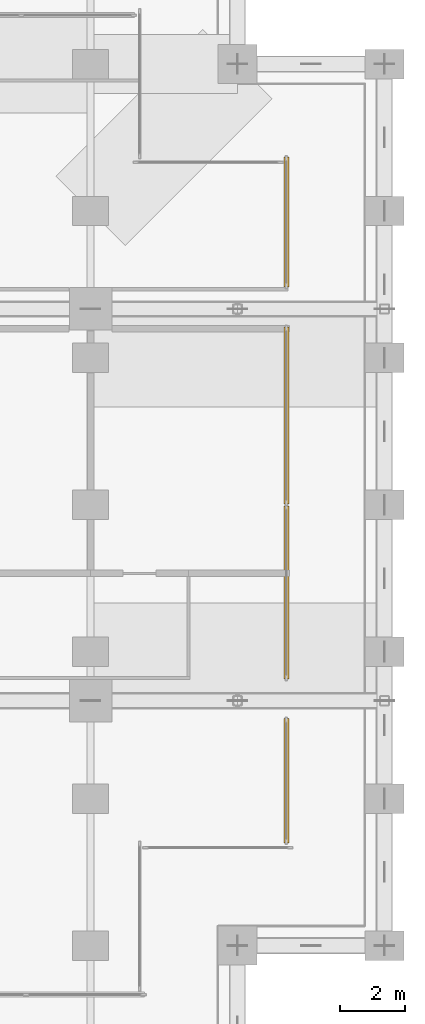
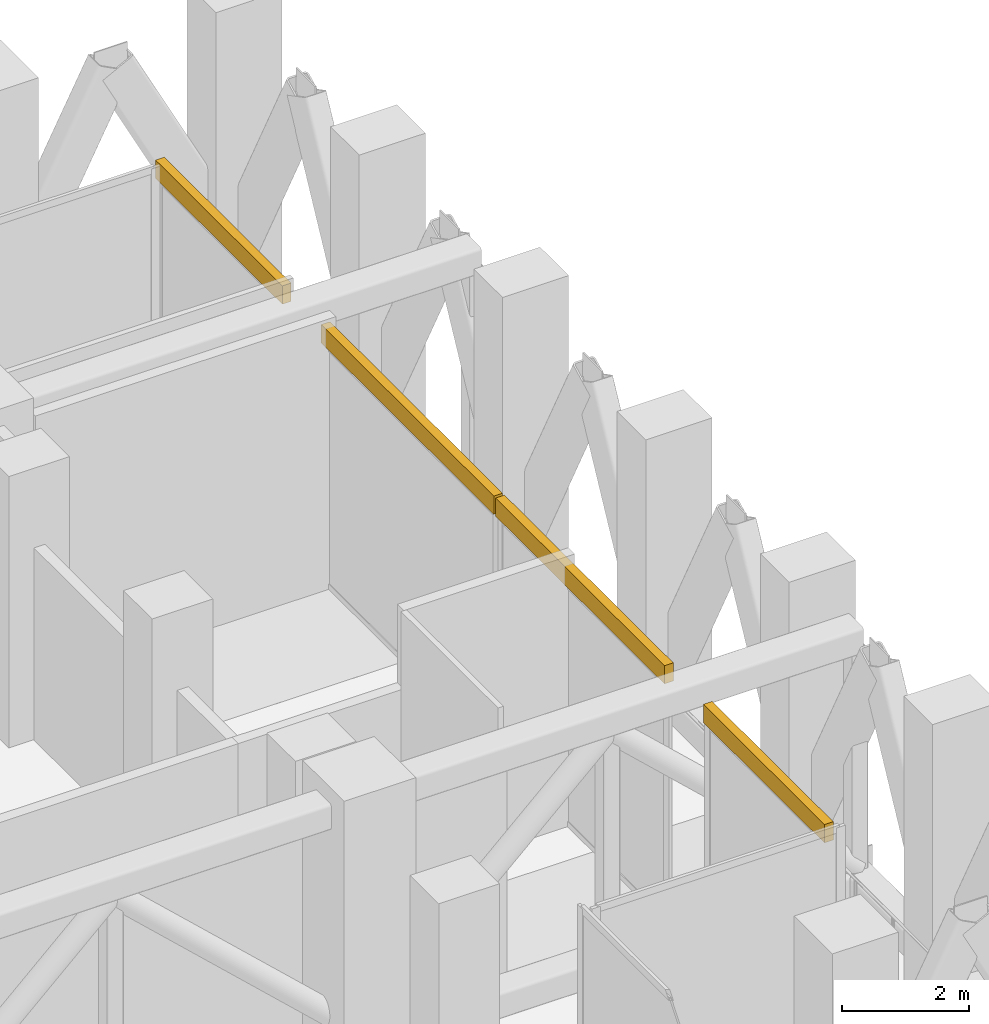
# One storey, part 36 of 37: 4 coverings.
"""IFC4 building model written with IfcOpenShell, lengths in metres."""

from ifc_helpers import new_model, si_unit, direction, frame, origin, origin_2d, place, context, subcontext, project, spatial, rectangle, extrude, material, layer, layer_set, type_object, element, save


model = new_model("IFC4")

# Units and contexts
model_context = context("Model", 3, precision=1e-05, world=origin(), true_north=direction((0.0, 1.0)))
body_context = subcontext(model_context, "Body", "Model", "MODEL_VIEW")
ifc_project = project(units=[si_unit("LENGTHUNIT", "METRE"), si_unit("AREAUNIT", "SQUARE_METRE"), si_unit("VOLUMEUNIT", "CUBIC_METRE"), si_unit("PLANEANGLEUNIT", "RADIAN"), si_unit("MASSUNIT", "GRAM", prefix="KILO")], contexts=[model_context])

# Site, building, storey
site_placement = place(None, origin())
site = spatial("IfcSite", under=ifc_project, at=site_placement, CompositionType="ELEMENT")
building_placement = place(site_placement, origin())
building = spatial("IfcBuilding", under=site, at=building_placement, Name="Brondeck Convention Tower", CompositionType="ELEMENT")
storey_placement = place(building_placement, frame((0.0, 0.0, 137.89990234375)))
storey = spatial("IfcBuildingStorey", under=building, at=storey_placement, Name="L33", CompositionType="ELEMENT", Elevation=137.89990234375)

# Coverings
ifc_material = material(Name="Aluminium, bronze anodised", Category="aluminium")
ifc_layer = layer(ifc_material, 0.10009765625)
ifc_layer_set = layer_set([ifc_layer], Name="Curtain wall spandrel panel, bronze anodised aluminium")
covering_type = type_object("IfcCoveringType", Name="Curtain wall spandrel panel, bronze anodised aluminium", PredefinedType="CLADDING", material=ifc_layer_set)
covering_1_placement = place(storey_placement, frame((69.0, 36.549072265625, 4.650146484375), z_axis=(0.0, 0.0, 1.0), x_axis=(0.0, -1.0, 0.0)))
element("IfcCovering", 1, at=covering_1_placement, inside=storey, type_object=covering_type, Name="ENV-L33-019-CW30-SP", PredefinedType="CLADDING", context=body_context, shape_type="SweptSolid", body=[
    extrude(rectangle(XDim=3.802001953125, YDim=0.159912109375, at=origin_2d()), origin(), (0.0, 0.0, 1.0), 0.35009765625),
])
covering_2_placement = place(storey_placement, frame((69.0, 42.320068359375, 4.650146484375), z_axis=(0.0, 0.0, 1.0), x_axis=(0.0, -1.0, 0.0)))
element("IfcCovering", 2, at=covering_2_placement, inside=storey, type_object=covering_type, Name="ENV-L33-020-CW30-SP", PredefinedType="CLADDING", context=body_context, shape_type="SweptSolid", body=[
    extrude(rectangle(XDim=5.300048828125, YDim=0.159912109375, at=origin_2d()), origin(), (0.0, 0.0, 1.0), 0.35009765625),
])
covering_3_placement = place(storey_placement, frame((69.0, 47.739990234375, 4.650146484375), z_axis=(0.0, 0.0, 1.0), x_axis=(0.0, -1.0, 0.0)))
element("IfcCovering", 3, at=covering_3_placement, inside=storey, type_object=covering_type, Name="ENV-L33-020-CW31-SP", PredefinedType="CLADDING", context=body_context, shape_type="SweptSolid", body=[
    extrude(rectangle(XDim=5.419921875, YDim=0.159912109375, at=origin_2d()), origin(), (0.0, 0.0, 1.0), 0.35009765625),
])
covering_4_placement = place(storey_placement, frame((69.0, 53.659912109375, 4.650146484375), z_axis=(0.0, 0.0, 1.0), x_axis=(0.0, -1.0, 0.0)))
element("IfcCovering", 4, at=covering_4_placement, inside=storey, type_object=covering_type, Name="ENV-L33-021-CW30-SP", PredefinedType="CLADDING", context=body_context, shape_type="SweptSolid", body=[
    extrude(rectangle(XDim=3.97998046875, YDim=0.159912109375, at=origin_2d()), origin(), (0.0, 0.0, 1.0), 0.35009765625),
])

save(model, "model.ifc")
